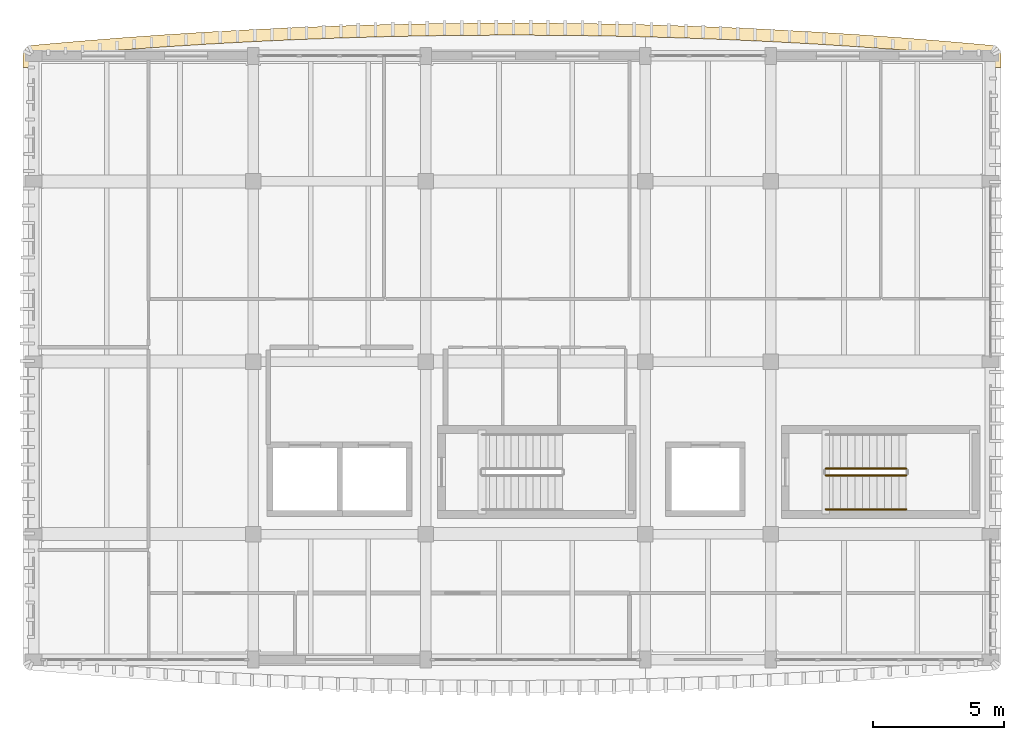
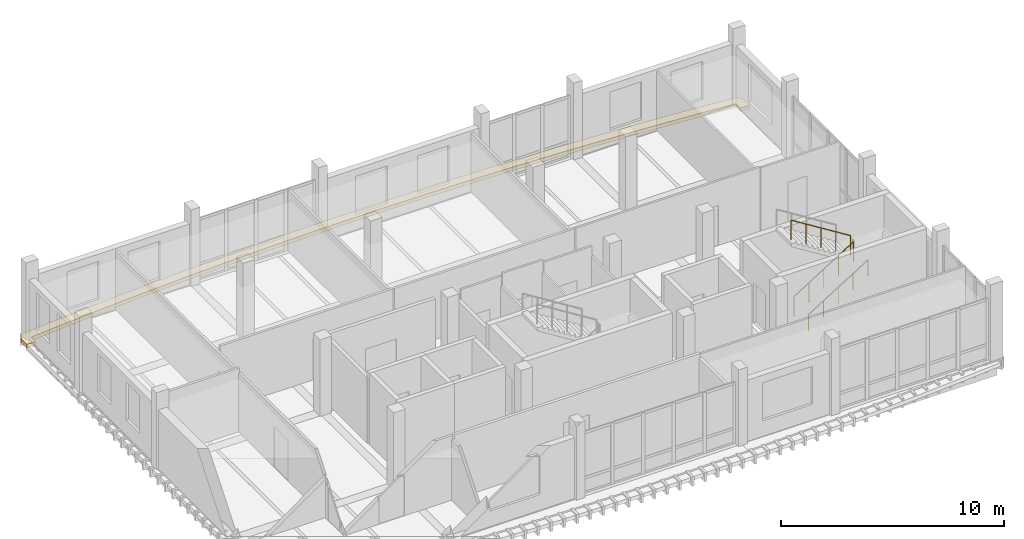
# One storey, part 12 of 16: 3 railings, 1 covering.
"""IFC4 building model written with IfcOpenShell, lengths in metres."""

from ifc_helpers import new_model, si_unit, direction, frame, origin, origin_2d, place, context, subcontext, project, spatial, polyline, circle, outline, extrude, material, layer, layer_set, type_object, element, save


model = new_model("IFC4")

# Units and contexts
model_context = context("Model", 3, precision=1e-05, world=origin(), true_north=direction((0.0, 1.0)))
body_context = subcontext(model_context, "Body", "Model", "MODEL_VIEW")
ifc_project = project(units=[si_unit("LENGTHUNIT", "METRE"), si_unit("AREAUNIT", "SQUARE_METRE"), si_unit("VOLUMEUNIT", "CUBIC_METRE"), si_unit("PLANEANGLEUNIT", "RADIAN"), si_unit("MASSUNIT", "GRAM", prefix="KILO")], contexts=[model_context])

# Site, building, storey
site_placement = place(None, origin())
site = spatial("IfcSite", under=ifc_project, at=site_placement, CompositionType="ELEMENT")
building_placement = place(site_placement, origin())
building = spatial("IfcBuilding", under=site, at=building_placement, Name="Dornvale Research Institute", CompositionType="ELEMENT")
storey_placement = place(building_placement, frame((0.0, 0.0, 38.39990234375)))
storey = spatial("IfcBuildingStorey", under=building, at=storey_placement, Name="L08", CompositionType="ELEMENT", Elevation=38.39990234375)

# Covering
ifc_material_1 = material(Name="Polychrome Glazed Terracotta Visor Rib Ceramic", Category="masonry")
ifc_layer_1 = layer(ifc_material_1, 0.199951171875)
ifc_layer_set_1 = layer_set([ifc_layer_1], Name="Polychrome Glazed Terracotta Visor Rib Ceramic")
covering_type = type_object("IfcCoveringType", Name="Covering_VisorBrim_Shelf", PredefinedType="CLADDING", material=ifc_layer_set_1)
covering_placement = place(storey_placement, frame((0.0, 0.0, -0.27978515625)))
element("IfcCovering", 1, at=covering_placement, inside=storey, type_object=covering_type, Name="L08 V5 canted bowed-brim visor hood #33", PredefinedType="CLADDING", context=body_context, shape_type="SweptSolid", body=[
    extrude(outline(polyline([(4.42431640625, 122.24609375), (4.502685546875, 122.372314453125), (4.621337890625, 122.46142578125), (4.764404296875, 122.501708984375), (6.427978515625, 122.649169921875), (6.431396484375, 122.6494140625), (8.094970703125, 122.782958984375), (8.098388671875, 122.783203125), (9.761962890625, 122.902587890625), (9.765380859375, 122.90283203125), (11.428955078125, 123.00830078125), (11.432373046875, 123.00830078125), (13.09619140625, 123.099609375), (13.099609375, 123.099853515625), (14.76318359375, 123.17724609375), (14.7666015625, 123.17724609375), (16.43017578125, 123.240478515625), (16.43359375, 123.240478515625), (18.09716796875, 123.289794921875), (18.1005859375, 123.289794921875), (19.76416015625, 123.324951171875), (19.767578125, 123.3251953125), (21.431396484375, 123.34619140625), (21.434814453125, 123.34619140625), (23.098388671875, 123.353271484375), (23.101806640625, 123.353271484375), (24.765380859375, 123.34619140625), (24.768798828125, 123.34619140625), (26.432373046875, 123.3251953125), (26.435791015625, 123.324951171875), (28.099365234375, 123.289794921875), (28.102783203125, 123.289794921875), (29.766357421875, 123.240478515625), (29.769775390625, 123.240478515625), (31.43359375, 123.17724609375), (31.43701171875, 123.17724609375), (33.1005859375, 123.099853515625), (33.10400390625, 123.099609375), (34.767578125, 123.00830078125), (34.77099609375, 123.00830078125), (36.4345703125, 122.90283203125), (36.43798828125, 122.902587890625), (38.1015625, 122.783203125), (38.10498046875, 122.782958984375), (39.768798828125, 122.6494140625), (39.77197265625, 122.649169921875), (41.435546875, 122.501708984375), (41.57861328125, 122.46142578125), (41.697509765625, 122.372314453125), (41.77587890625, 122.24609375), (41.80322265625, 122.10009765625), (41.80322265625, 121.64990234375), (41.340087890625, 121.64990234375), (41.340087890625, 122.045166015625), (39.7314453125, 122.187744140625), (38.068115234375, 122.3212890625), (36.405029296875, 122.4404296875), (34.741943359375, 122.5458984375), (33.078857421875, 122.63720703125), (31.415771484375, 122.714599609375), (29.75244140625, 122.777587890625), (28.08935546875, 122.826904296875), (26.42626953125, 122.86181640625), (24.76318359375, 122.883056640625), (23.10009765625, 122.889892578125), (21.43701171875, 122.883056640625), (19.773681640625, 122.86181640625), (18.110595703125, 122.826904296875), (16.447509765625, 122.777587890625), (14.7841796875, 122.714599609375), (13.12109375, 122.63720703125), (11.4580078125, 122.5458984375), (9.794921875, 122.4404296875), (8.1318359375, 122.3212890625), (6.468505859375, 122.187744140625), (4.860107421875, 122.045166015625), (4.860107421875, 121.64990234375), (4.396728515625, 121.64990234375), (4.396728515625, 122.10009765625), (4.42431640625, 122.24609375)])), origin(), (0.0, 0.0, 1.0), 0.199951171875),
])

# Railings
ifc_material_2 = material(Name="Galvanized Painted Tubular Steel Stair Rail", Category="steel")
ifc_layer_2 = layer(ifc_material_2, 0.050048828125)
ifc_layer_set_2 = layer_set([ifc_layer_2], Name="Galvanized Painted Tubular Steel Stair Rail")
railing_type_1 = type_object("IfcRailingType", Name="Railing_Stair_Guard_1100", PredefinedType="GUARDRAIL", material=ifc_layer_set_2)
railing_1_placement = place(storey_placement, frame((35.10009765625, 106.050048828125, 0.175048828125)))
element("IfcRailing", 2, at=railing_1_placement, inside=storey, type_object=railing_type_1, Name="L08 ST-2 stair guard 1", PredefinedType="GUARDRAIL", context=body_context, shape_type="SweptSolid", body=[
    extrude(circle(Radius=0.02392578125, at=origin_2d()), frame((0.0, 0.0, 1.076171875), z_axis=(0.847979421464, 0.0, 0.530029150871), x_axis=(0.0, 1.0, 0.0)), (0.0, 0.0, 1.0), 3.632080078125),
    extrude(circle(Radius=0.02099609375, at=origin_2d()), origin(), (0.0, 0.0, 1.0), 1.052001953125),
    extrude(circle(Radius=0.02099609375, at=origin_2d()), frame((0.77001953125, 0.0, 0.481201171875)), (0.0, 0.0, 1.0), 1.052001953125),
    extrude(circle(Radius=0.02099609375, at=origin_2d()), frame((1.5400390625, 0.0, 0.96240234375)), (0.0, 0.0, 1.0), 1.052001953125),
    extrude(circle(Radius=0.02099609375, at=origin_2d()), frame((2.309814453125, 0.0, 1.44384765625)), (0.0, 0.0, 1.0), 1.052001953125),
    extrude(circle(Radius=0.02099609375, at=origin_2d()), frame((3.079833984375, 0.0, 1.925048828125)), (0.0, 0.0, 1.0), 1.052001953125),
])
railing_2_placement = place(storey_placement, frame((38.179931640625, 106.31005859375, 2.275146484375)))
element("IfcRailing", 3, at=railing_2_placement, inside=storey, type_object=railing_type_1, Name="L08 ST-2 stair guard 3", PredefinedType="GUARDRAIL", context=body_context, shape_type="SweptSolid", body=[
    extrude(circle(Radius=0.02392578125, at=origin_2d()), frame((0.0, 0.0, 1.076171875), z_axis=(-0.847979421464, 0.0, 0.530029150871), x_axis=(0.0, -1.0, 0.0)), (0.0, 0.0, 1.0), 3.632080078125),
    extrude(circle(Radius=0.02099609375, at=origin_2d()), origin(), (0.0, 0.0, 1.0), 1.052001953125),
    extrude(circle(Radius=0.02099609375, at=origin_2d()), frame((-0.77001953125, 0.0, 0.481201171875)), (0.0, 0.0, 1.0), 1.052001953125),
    extrude(circle(Radius=0.02099609375, at=origin_2d()), frame((-1.5400390625, 0.0, 0.96240234375)), (0.0, 0.0, 1.0), 1.052001953125),
    extrude(circle(Radius=0.02099609375, at=origin_2d()), frame((-2.309814453125, 0.0, 1.44384765625)), (0.0, 0.0, 1.0), 1.052001953125),
    extrude(circle(Radius=0.02099609375, at=origin_2d()), frame((-3.079833984375, 0.0, 1.925048828125)), (0.0, 0.0, 1.0), 1.052001953125),
])
ifc_material_3 = material(Name="Galvanized Painted Tubular Steel Stair Rail", Category="steel")
ifc_layer_3 = layer(ifc_material_3, 0.044921875)
ifc_layer_set_3 = layer_set([ifc_layer_3], Name="Galvanized Painted Tubular Steel Stair Rail")
railing_type_2 = type_object("IfcRailingType", Name="Railing_Stair_Handrail_900", PredefinedType="HANDRAIL", material=ifc_layer_set_3)
railing_3_placement = place(storey_placement, frame((35.10009765625, 104.75, 0.175048828125)))
element("IfcRailing", 4, at=railing_3_placement, inside=storey, type_object=railing_type_2, Name="L08 ST-2 stair handrail 1", PredefinedType="HANDRAIL", context=body_context, shape_type="SweptSolid", body=[
    extrude(circle(Radius=0.02392578125, at=origin_2d()), frame((0.0, 0.0, 0.8759765625), z_axis=(0.847979421464, 0.0, 0.530029150871), x_axis=(0.0, 1.0, 0.0)), (0.0, 0.0, 1.0), 3.632080078125),
    extrude(circle(Radius=0.02099609375, at=origin_2d()), origin(), (0.0, 0.0, 1.0), 0.851806640625),
    extrude(circle(Radius=0.02099609375, at=origin_2d()), frame((0.77001953125, 0.0, 0.481201171875)), (0.0, 0.0, 1.0), 0.851806640625),
    extrude(circle(Radius=0.02099609375, at=origin_2d()), frame((1.5400390625, 0.0, 0.96240234375)), (0.0, 0.0, 1.0), 0.851806640625),
    extrude(circle(Radius=0.02099609375, at=origin_2d()), frame((2.309814453125, 0.0, 1.44384765625)), (0.0, 0.0, 1.0), 0.851806640625),
    extrude(circle(Radius=0.02099609375, at=origin_2d()), frame((3.079833984375, 0.0, 1.925048828125)), (0.0, 0.0, 1.0), 0.851806640625),
])

save(model, "model.ifc")
